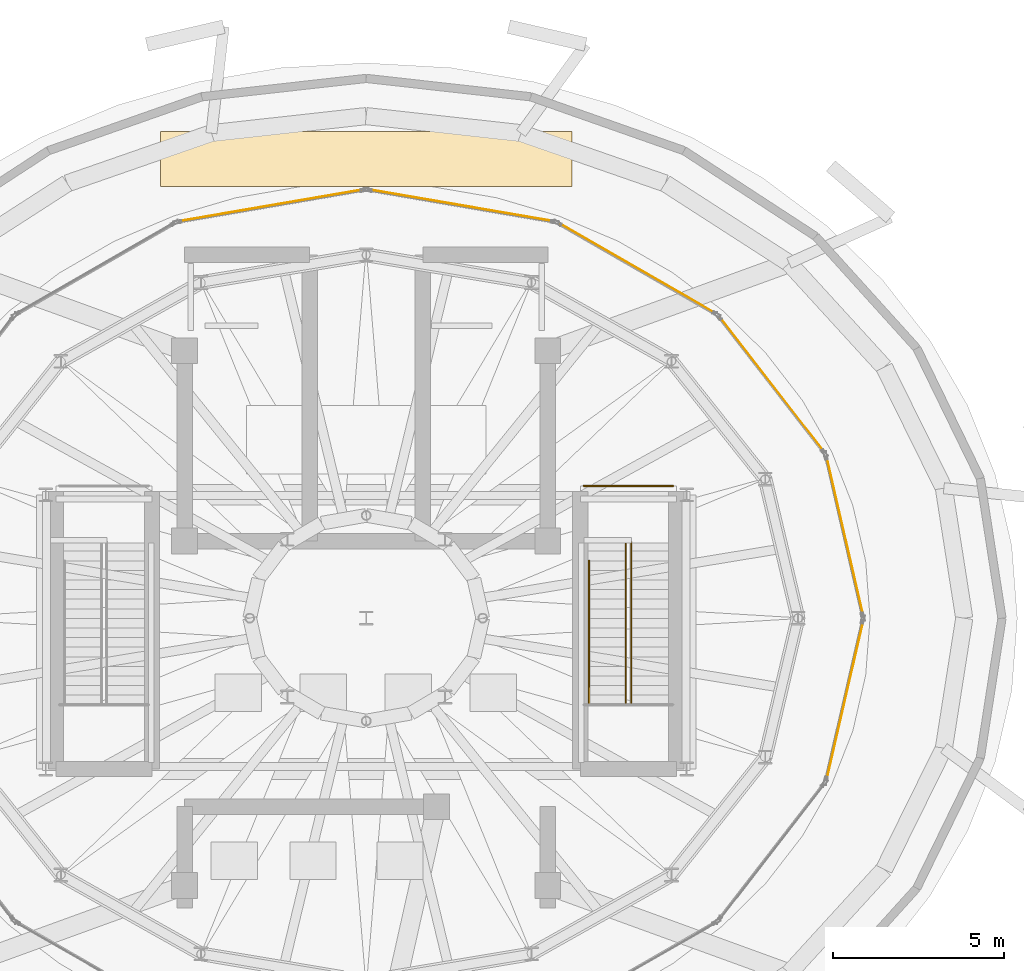
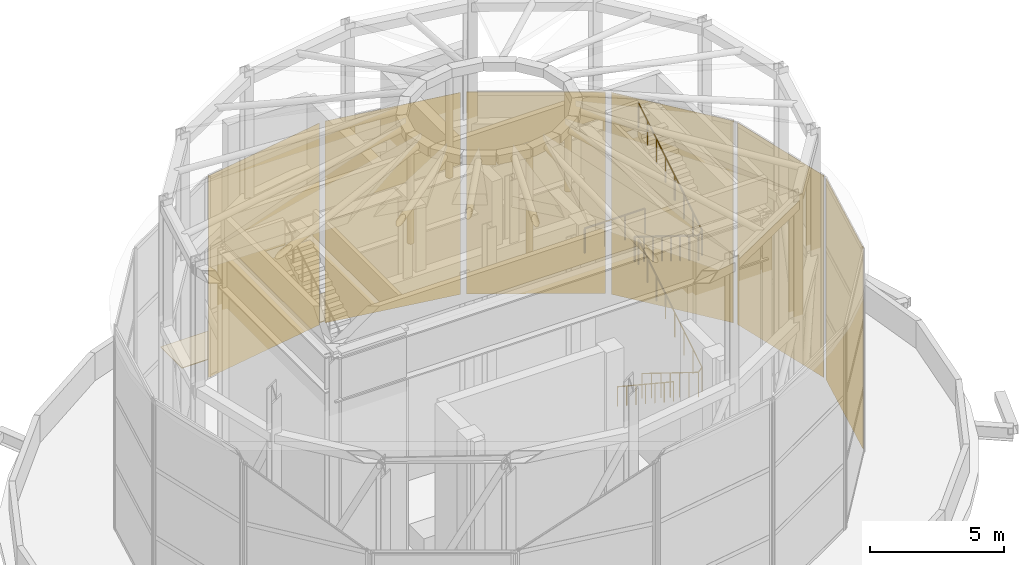
# One storey, part 22 of 22: 6 shading devices, 4 railings, 1 covering.
"""IFC4 building model written with IfcOpenShell, lengths in metres."""

from ifc_helpers import new_model, si_unit, direction, frame, origin, origin_2d, place, context, subcontext, project, spatial, polyline, rectangle, outline, extrude, material, layer, layer_set, type_object, element, save


model = new_model("IFC4")

# Units and contexts
model_context = context("Model", 3, precision=1e-05, world=origin(), true_north=direction((0.0, 1.0)))
body_context = subcontext(model_context, "Body", "Model", "MODEL_VIEW")
ifc_project = project(units=[si_unit("LENGTHUNIT", "METRE"), si_unit("AREAUNIT", "SQUARE_METRE"), si_unit("VOLUMEUNIT", "CUBIC_METRE"), si_unit("PLANEANGLEUNIT", "RADIAN"), si_unit("MASSUNIT", "GRAM", prefix="KILO")], contexts=[model_context])

# Site, building, storey
site_placement = place(None, origin())
site = spatial("IfcSite", under=ifc_project, at=site_placement, CompositionType="ELEMENT")
building_placement = place(site_placement, origin())
building = spatial("IfcBuilding", under=site, at=building_placement, Name="Nuhasar Tower", CompositionType="ELEMENT")
storey_placement = place(building_placement, frame((0.0, 0.0, 313.39990234375)))
storey = spatial("IfcBuildingStorey", under=building, at=storey_placement, Name="Roof Drum", CompositionType="ELEMENT", Elevation=313.39990234375)

# Covering
ifc_material_1 = material(Name="EPDM Membrane", Category="bitumen")
ifc_layer_1 = layer(ifc_material_1, 0.030029296875)
ifc_layer_set_1 = layer_set([ifc_layer_1], Name="EPDM Membrane")
covering_type = type_object("IfcCoveringType", Name="COV-ROOF-MEM30", PredefinedType="ROOFING", material=ifc_layer_set_1)
covering_placement = place(storey_placement, origin())
element("IfcCovering", 1, at=covering_placement, inside=storey, type_object=covering_type, Name="Roof Drum Waterproofing Roof Membrane Strip 04", PredefinedType="ROOFING", context=body_context, shape_type="SweptSolid", body=[
    extrude(outline(polyline([(33.0, 39.39990234375), (45.0, 39.39990234375), (45.0, 41.0), (33.0, 41.0), (33.0, 39.39990234375)])), origin(), (0.0, 0.0, 1.0), 0.030029296875),
])

# Railings
ifc_material_2 = material(Name="Steel S355", Category="steel")
railing_type_1 = type_object("IfcRailingType", Name="RLG-STAIR-GUARD-1150", PredefinedType="GUARDRAIL", material=ifc_material_2)
railing_1_placement = place(storey_placement, frame((46.570068359375, 28.47509765625, 0.52099609375)))
element("IfcRailing", 2, at=railing_1_placement, inside=storey, type_object=railing_type_1, Name="Roof Drum Stair ST-CRN-2 Guardrail SLT1", PredefinedType="GUARDRAIL", context=body_context, shape_type="SweptSolid", body=[
    extrude(outline(polyline([(0.024169921875, 0.0), (0.01708984375, 0.01708984375), (0.0, 0.024169921875), (-0.01708984375, 0.01708984375), (-0.024169921875, 0.0), (-0.01708984375, -0.01708984375), (0.0, -0.024169921875), (0.01708984375, -0.01708984375), (0.024169921875, 0.0)])), frame((0.0, 0.0, 1.1259765625), z_axis=(0.0, -0.849913311345, 0.526922540037), x_axis=(1.0, 0.0, 0.0)), (0.0, 0.0, 1.0), 4.94189453125),
    extrude(outline(polyline([(0.024169921875, 0.0), (0.01708984375, 0.01708984375), (0.0, 0.024169921875), (-0.01708984375, 0.01708984375), (-0.024169921875, 0.0), (-0.01708984375, -0.01708984375), (0.0, -0.024169921875), (0.01708984375, -0.01708984375), (0.024169921875, 0.0)])), frame((0.0, -4.2001953125, 3.72998046875), z_axis=(0.676519338112, 0.0, 0.736424867288), x_axis=(0.0, 1.0, 0.0)), (0.0, 0.0, 1.0), 0.236328125),
    extrude(outline(polyline([(0.024169921875, 0.0), (0.01708984375, 0.01708984375), (0.0, 0.024169921875), (-0.01708984375, 0.01708984375), (-0.024169921875, 0.0), (-0.01708984375, -0.01708984375), (0.0, -0.024169921875), (0.01708984375, -0.01708984375), (0.024169921875, 0.0)])), frame((0.159912109375, -4.2001953125, 3.90380859375), z_axis=(0.0, 0.849924946986, 0.526903771566), x_axis=(-1.0, 0.0, 0.0)), (0.0, 0.0, 1.0), 5.6005859375),
    extrude(outline(polyline([(0.02099609375, 0.0), (0.014892578125, 0.014892578125), (0.0, 0.02099609375), (-0.014892578125, 0.014892578125), (-0.02099609375, 0.0), (-0.014892578125, -0.014892578125), (0.0, -0.02099609375), (0.014892578125, -0.014892578125), (0.02099609375, 0.0)])), origin(), (0.0, 0.0, 1.0), 1.101806640625),
    extrude(outline(polyline([(0.02099609375, 0.0), (0.014892578125, 0.014892578125), (0.0, 0.02099609375), (-0.014892578125, 0.014892578125), (-0.02099609375, 0.0), (-0.014892578125, -0.014892578125), (0.0, -0.02099609375), (0.014892578125, -0.014892578125), (0.02099609375, 0.0)])), frame((0.0, -0.699951171875, 0.43408203125)), (0.0, 0.0, 1.0), 1.101806640625),
    extrude(outline(polyline([(0.02099609375, 0.0), (0.014892578125, 0.014892578125), (0.0, 0.02099609375), (-0.014892578125, 0.014892578125), (-0.02099609375, 0.0), (-0.014892578125, -0.014892578125), (0.0, -0.02099609375), (0.014892578125, -0.014892578125), (0.02099609375, 0.0)])), frame((0.0, -1.400146484375, 0.867919921875)), (0.0, 0.0, 1.0), 1.101806640625),
    extrude(outline(polyline([(0.02099609375, 0.0), (0.014892578125, 0.014892578125), (0.0, 0.02099609375), (-0.014892578125, 0.014892578125), (-0.02099609375, 0.0), (-0.014892578125, -0.014892578125), (0.0, -0.02099609375), (0.014892578125, -0.014892578125), (0.02099609375, 0.0)])), frame((0.0, -2.10009765625, 1.302001953125)), (0.0, 0.0, 1.0), 1.101806640625),
    extrude(outline(polyline([(0.02099609375, 0.0), (0.014892578125, 0.014892578125), (0.0, 0.02099609375), (-0.014892578125, 0.014892578125), (-0.02099609375, 0.0), (-0.014892578125, -0.014892578125), (0.0, -0.02099609375), (0.014892578125, -0.014892578125), (0.02099609375, 0.0)])), frame((0.0, -2.800048828125, 1.736083984375)), (0.0, 0.0, 1.0), 1.101806640625),
    extrude(outline(polyline([(0.02099609375, 0.0), (0.014892578125, 0.014892578125), (0.0, 0.02099609375), (-0.014892578125, 0.014892578125), (-0.02099609375, 0.0), (-0.014892578125, -0.014892578125), (0.0, -0.02099609375), (0.014892578125, -0.014892578125), (0.02099609375, 0.0)])), frame((0.0, -3.500244140625, 2.169921875)), (0.0, 0.0, 1.0), 1.101806640625),
    extrude(outline(polyline([(0.02099609375, 0.0), (0.014892578125, 0.014892578125), (0.0, 0.02099609375), (-0.014892578125, 0.014892578125), (-0.02099609375, 0.0), (-0.014892578125, -0.014892578125), (0.0, -0.02099609375), (0.014892578125, -0.014892578125), (0.02099609375, 0.0)])), frame((0.0, -4.2001953125, 2.60400390625)), (0.0, 0.0, 1.0), 1.101806640625),
    extrude(outline(polyline([(0.02099609375, 0.0), (0.014892578125, 0.014892578125), (0.0, 0.02099609375), (-0.014892578125, 0.014892578125), (-0.02099609375, 0.0), (-0.014892578125, -0.014892578125), (0.0, -0.02099609375), (0.014892578125, -0.014892578125), (0.02099609375, 0.0)])), frame((0.159912109375, -4.2001953125, 2.778076171875)), (0.0, 0.0, 1.0), 1.101806640625),
    extrude(outline(polyline([(0.02099609375, 0.0), (0.014892578125, 0.014892578125), (0.0, 0.02099609375), (-0.014892578125, 0.014892578125), (-0.02099609375, 0.0), (-0.014892578125, -0.014892578125), (0.0, -0.02099609375), (0.014892578125, -0.014892578125), (0.02099609375, 0.0)])), frame((0.159912109375, -3.520263671875, 3.19970703125)), (0.0, 0.0, 1.0), 1.101806640625),
    extrude(outline(polyline([(0.02099609375, 0.0), (0.014892578125, 0.014892578125), (0.0, 0.02099609375), (-0.014892578125, 0.014892578125), (-0.02099609375, 0.0), (-0.014892578125, -0.014892578125), (0.0, -0.02099609375), (0.014892578125, -0.014892578125), (0.02099609375, 0.0)])), frame((0.159912109375, -2.840087890625, 3.62109375)), (0.0, 0.0, 1.0), 1.101806640625),
    extrude(outline(polyline([(0.02099609375, 0.0), (0.014892578125, 0.014892578125), (0.0, 0.02099609375), (-0.014892578125, 0.014892578125), (-0.02099609375, 0.0), (-0.014892578125, -0.014892578125), (0.0, -0.02099609375), (0.014892578125, -0.014892578125), (0.02099609375, 0.0)])), frame((0.159912109375, -2.16015625, 4.042724609375)), (0.0, 0.0, 1.0), 1.101806640625),
    extrude(outline(polyline([(0.02099609375, 0.0), (0.014892578125, 0.014892578125), (0.0, 0.02099609375), (-0.014892578125, 0.014892578125), (-0.02099609375, 0.0), (-0.014892578125, -0.014892578125), (0.0, -0.02099609375), (0.014892578125, -0.014892578125), (0.02099609375, 0.0)])), frame((0.159912109375, -1.480224609375, 4.46435546875)), (0.0, 0.0, 1.0), 1.101806640625),
    extrude(outline(polyline([(0.02099609375, 0.0), (0.014892578125, 0.014892578125), (0.0, 0.02099609375), (-0.014892578125, 0.014892578125), (-0.02099609375, 0.0), (-0.014892578125, -0.014892578125), (0.0, -0.02099609375), (0.014892578125, -0.014892578125), (0.02099609375, 0.0)])), frame((0.159912109375, -0.80029296875, 4.885986328125)), (0.0, 0.0, 1.0), 1.101806640625),
    extrude(outline(polyline([(0.02099609375, 0.0), (0.014892578125, 0.014892578125), (0.0, 0.02099609375), (-0.014892578125, 0.014892578125), (-0.02099609375, 0.0), (-0.014892578125, -0.014892578125), (0.0, -0.02099609375), (0.014892578125, -0.014892578125), (0.02099609375, 0.0)])), frame((0.159912109375, -0.1201171875, 5.307373046875)), (0.0, 0.0, 1.0), 1.101806640625),
    extrude(outline(polyline([(0.02099609375, 0.0), (0.014892578125, 0.014892578125), (0.0, 0.02099609375), (-0.014892578125, 0.014892578125), (-0.02099609375, 0.0), (-0.014892578125, -0.014892578125), (0.0, -0.02099609375), (0.014892578125, -0.014892578125), (0.02099609375, 0.0)])), frame((0.159912109375, 0.559814453125, 5.72900390625)), (0.0, 0.0, 1.0), 1.101806640625),
])
railing_2_placement = place(storey_placement, frame((45.35009765625, 30.659912109375, 6.25)))
element("IfcRailing", 3, at=railing_2_placement, inside=storey, type_object=railing_type_1, Name="Roof Drum Stair ST-CRN-2 Guardrail LNDN1", PredefinedType="GUARDRAIL", context=body_context, shape_type="SweptSolid", body=[
    extrude(outline(polyline([(0.024169921875, 0.0), (0.01708984375, 0.01708984375), (0.0, 0.024169921875), (-0.01708984375, 0.01708984375), (-0.024169921875, 0.0), (-0.01708984375, -0.01708984375), (0.0, -0.024169921875), (0.01708984375, -0.01708984375), (0.024169921875, 0.0)])), frame((0.0, 0.0, 1.1259765625), z_axis=(1.0, 0.0, 0.0), x_axis=(0.0, 1.0, 0.0)), (0.0, 0.0, 1.0), 2.599853515625),
    extrude(outline(polyline([(0.02099609375, 0.0), (0.014892578125, 0.014892578125), (0.0, 0.02099609375), (-0.014892578125, 0.014892578125), (-0.02099609375, 0.0), (-0.014892578125, -0.014892578125), (0.0, -0.02099609375), (0.014892578125, -0.014892578125), (0.02099609375, 0.0)])), origin(), (0.0, 0.0, 1.0), 1.101806640625),
    extrude(outline(polyline([(0.02099609375, 0.0), (0.014892578125, 0.014892578125), (0.0, 0.02099609375), (-0.014892578125, 0.014892578125), (-0.02099609375, 0.0), (-0.014892578125, -0.014892578125), (0.0, -0.02099609375), (0.014892578125, -0.014892578125), (0.02099609375, 0.0)])), frame((0.86669921875, 0.0, 0.0)), (0.0, 0.0, 1.0), 1.101806640625),
    extrude(outline(polyline([(0.02099609375, 0.0), (0.014892578125, 0.014892578125), (0.0, 0.02099609375), (-0.014892578125, 0.014892578125), (-0.02099609375, 0.0), (-0.014892578125, -0.014892578125), (0.0, -0.02099609375), (0.014892578125, -0.014892578125), (0.02099609375, 0.0)])), frame((1.733154296875, 0.0, 0.0)), (0.0, 0.0, 1.0), 1.101806640625),
    extrude(outline(polyline([(0.02099609375, 0.0), (0.014892578125, 0.014892578125), (0.0, 0.02099609375), (-0.014892578125, 0.014892578125), (-0.02099609375, 0.0), (-0.014892578125, -0.014892578125), (0.0, -0.02099609375), (0.014892578125, -0.014892578125), (0.02099609375, 0.0)])), frame((2.599853515625, 0.0, 0.0)), (0.0, 0.0, 1.0), 1.101806640625),
])
railing_3_placement = place(storey_placement, frame((46.570068359375, 29.034912109375, 6.424072265625)))
element("IfcRailing", 4, at=railing_3_placement, inside=storey, type_object=railing_type_1, Name="Roof Drum Stair ST-CRN-2 Guardrail SLT2", PredefinedType="GUARDRAIL", context=body_context, shape_type="SweptSolid", body=[
    extrude(outline(polyline([(0.024169921875, 0.0), (0.01708984375, 0.01708984375), (0.0, 0.024169921875), (-0.01708984375, 0.01708984375), (-0.024169921875, 0.0), (-0.01708984375, -0.01708984375), (0.0, -0.024169921875), (0.01708984375, -0.01708984375), (0.024169921875, 0.0)])), frame((0.0, 0.0, 1.1259765625), z_axis=(0.0, -0.849924946986, 0.526903771566), x_axis=(1.0, 0.0, 0.0)), (0.0, 0.0, 1.0), 5.6005859375),
    extrude(outline(polyline([(0.024169921875, 0.0), (0.01708984375, 0.01708984375), (0.0, 0.024169921875), (-0.01708984375, 0.01708984375), (-0.024169921875, 0.0), (-0.01708984375, -0.01708984375), (0.0, -0.024169921875), (0.01708984375, -0.01708984375), (0.024169921875, 0.0)])), frame((0.0, -4.760009765625, 4.07666015625), z_axis=(0.676519338112, 0.0, 0.736424867288), x_axis=(0.0, 1.0, 0.0)), (0.0, 0.0, 1.0), 0.236328125),
    extrude(outline(polyline([(0.024169921875, 0.0), (0.01708984375, 0.01708984375), (0.0, 0.024169921875), (-0.01708984375, 0.01708984375), (-0.024169921875, 0.0), (-0.01708984375, -0.01708984375), (0.0, -0.024169921875), (0.01708984375, -0.01708984375), (0.024169921875, 0.0)])), frame((0.159912109375, -4.760009765625, 4.2509765625), z_axis=(0.0, 0.849924946986, 0.526903771566), x_axis=(-1.0, 0.0, 0.0)), (0.0, 0.0, 1.0), 5.6005859375),
    extrude(outline(polyline([(0.02099609375, 0.0), (0.014892578125, 0.014892578125), (0.0, 0.02099609375), (-0.014892578125, 0.014892578125), (-0.02099609375, 0.0), (-0.014892578125, -0.014892578125), (0.0, -0.02099609375), (0.014892578125, -0.014892578125), (0.02099609375, 0.0)])), origin(), (0.0, 0.0, 1.0), 1.101806640625),
    extrude(outline(polyline([(0.02099609375, 0.0), (0.014892578125, 0.014892578125), (0.0, 0.02099609375), (-0.014892578125, 0.014892578125), (-0.02099609375, 0.0), (-0.014892578125, -0.014892578125), (0.0, -0.02099609375), (0.014892578125, -0.014892578125), (0.02099609375, 0.0)])), frame((0.0, -0.679931640625, 0.421630859375)), (0.0, 0.0, 1.0), 1.101806640625),
    extrude(outline(polyline([(0.02099609375, 0.0), (0.014892578125, 0.014892578125), (0.0, 0.02099609375), (-0.014892578125, 0.014892578125), (-0.02099609375, 0.0), (-0.014892578125, -0.014892578125), (0.0, -0.02099609375), (0.014892578125, -0.014892578125), (0.02099609375, 0.0)])), frame((0.0, -1.360107421875, 0.843017578125)), (0.0, 0.0, 1.0), 1.101806640625),
    extrude(outline(polyline([(0.02099609375, 0.0), (0.014892578125, 0.014892578125), (0.0, 0.02099609375), (-0.014892578125, 0.014892578125), (-0.02099609375, 0.0), (-0.014892578125, -0.014892578125), (0.0, -0.02099609375), (0.014892578125, -0.014892578125), (0.02099609375, 0.0)])), frame((0.0, -2.0400390625, 1.2646484375)), (0.0, 0.0, 1.0), 1.101806640625),
    extrude(outline(polyline([(0.02099609375, 0.0), (0.014892578125, 0.014892578125), (0.0, 0.02099609375), (-0.014892578125, 0.014892578125), (-0.02099609375, 0.0), (-0.014892578125, -0.014892578125), (0.0, -0.02099609375), (0.014892578125, -0.014892578125), (0.02099609375, 0.0)])), frame((0.0, -2.719970703125, 1.686279296875)), (0.0, 0.0, 1.0), 1.101806640625),
    extrude(outline(polyline([(0.02099609375, 0.0), (0.014892578125, 0.014892578125), (0.0, 0.02099609375), (-0.014892578125, 0.014892578125), (-0.02099609375, 0.0), (-0.014892578125, -0.014892578125), (0.0, -0.02099609375), (0.014892578125, -0.014892578125), (0.02099609375, 0.0)])), frame((0.0, -3.39990234375, 2.10791015625)), (0.0, 0.0, 1.0), 1.101806640625),
    extrude(outline(polyline([(0.02099609375, 0.0), (0.014892578125, 0.014892578125), (0.0, 0.02099609375), (-0.014892578125, 0.014892578125), (-0.02099609375, 0.0), (-0.014892578125, -0.014892578125), (0.0, -0.02099609375), (0.014892578125, -0.014892578125), (0.02099609375, 0.0)])), frame((0.0, -4.080078125, 2.529296875)), (0.0, 0.0, 1.0), 1.101806640625),
    extrude(outline(polyline([(0.02099609375, 0.0), (0.014892578125, 0.014892578125), (0.0, 0.02099609375), (-0.014892578125, 0.014892578125), (-0.02099609375, 0.0), (-0.014892578125, -0.014892578125), (0.0, -0.02099609375), (0.014892578125, -0.014892578125), (0.02099609375, 0.0)])), frame((0.0, -4.760009765625, 2.950927734375)), (0.0, 0.0, 1.0), 1.101806640625),
    extrude(outline(polyline([(0.02099609375, 0.0), (0.014892578125, 0.014892578125), (0.0, 0.02099609375), (-0.014892578125, 0.014892578125), (-0.02099609375, 0.0), (-0.014892578125, -0.014892578125), (0.0, -0.02099609375), (0.014892578125, -0.014892578125), (0.02099609375, 0.0)])), frame((0.159912109375, -4.760009765625, 3.125)), (0.0, 0.0, 1.0), 1.101806640625),
    extrude(outline(polyline([(0.02099609375, 0.0), (0.014892578125, 0.014892578125), (0.0, 0.02099609375), (-0.014892578125, 0.014892578125), (-0.02099609375, 0.0), (-0.014892578125, -0.014892578125), (0.0, -0.02099609375), (0.014892578125, -0.014892578125), (0.02099609375, 0.0)])), frame((0.159912109375, -4.080078125, 3.546630859375)), (0.0, 0.0, 1.0), 1.101806640625),
    extrude(outline(polyline([(0.02099609375, 0.0), (0.014892578125, 0.014892578125), (0.0, 0.02099609375), (-0.014892578125, 0.014892578125), (-0.02099609375, 0.0), (-0.014892578125, -0.014892578125), (0.0, -0.02099609375), (0.014892578125, -0.014892578125), (0.02099609375, 0.0)])), frame((0.159912109375, -3.39990234375, 3.968017578125)), (0.0, 0.0, 1.0), 1.101806640625),
    extrude(outline(polyline([(0.02099609375, 0.0), (0.014892578125, 0.014892578125), (0.0, 0.02099609375), (-0.014892578125, 0.014892578125), (-0.02099609375, 0.0), (-0.014892578125, -0.014892578125), (0.0, -0.02099609375), (0.014892578125, -0.014892578125), (0.02099609375, 0.0)])), frame((0.159912109375, -2.719970703125, 4.3896484375)), (0.0, 0.0, 1.0), 1.101806640625),
    extrude(outline(polyline([(0.02099609375, 0.0), (0.014892578125, 0.014892578125), (0.0, 0.02099609375), (-0.014892578125, 0.014892578125), (-0.02099609375, 0.0), (-0.014892578125, -0.014892578125), (0.0, -0.02099609375), (0.014892578125, -0.014892578125), (0.02099609375, 0.0)])), frame((0.159912109375, -2.0400390625, 4.811279296875)), (0.0, 0.0, 1.0), 1.101806640625),
    extrude(outline(polyline([(0.02099609375, 0.0), (0.014892578125, 0.014892578125), (0.0, 0.02099609375), (-0.014892578125, 0.014892578125), (-0.02099609375, 0.0), (-0.014892578125, -0.014892578125), (0.0, -0.02099609375), (0.014892578125, -0.014892578125), (0.02099609375, 0.0)])), frame((0.159912109375, -1.360107421875, 5.23291015625)), (0.0, 0.0, 1.0), 1.101806640625),
    extrude(outline(polyline([(0.02099609375, 0.0), (0.014892578125, 0.014892578125), (0.0, 0.02099609375), (-0.014892578125, 0.014892578125), (-0.02099609375, 0.0), (-0.014892578125, -0.014892578125), (0.0, -0.02099609375), (0.014892578125, -0.014892578125), (0.02099609375, 0.0)])), frame((0.159912109375, -0.679931640625, 5.654296875)), (0.0, 0.0, 1.0), 1.101806640625),
    extrude(outline(polyline([(0.02099609375, 0.0), (0.014892578125, 0.014892578125), (0.0, 0.02099609375), (-0.014892578125, 0.014892578125), (-0.02099609375, 0.0), (-0.014892578125, -0.014892578125), (0.0, -0.02099609375), (0.014892578125, -0.014892578125), (0.02099609375, 0.0)])), frame((0.159912109375, 0.0, 6.075927734375)), (0.0, 0.0, 1.0), 1.101806640625),
])
ifc_material_3 = material(Name="Stainless Steel 316L", Category="steel")
railing_type_2 = type_object("IfcRailingType", Name="RLG-STAIR-HAND-920", PredefinedType="HANDRAIL", material=ifc_material_3)
railing_4_placement = place(storey_placement, frame((45.5, 28.47509765625, 0.52099609375)))
element("IfcRailing", 5, at=railing_4_placement, inside=storey, type_object=railing_type_2, Name="Roof Drum Stair ST-CRN-2 Handrail HNDA1", PredefinedType="HANDRAIL", context=body_context, shape_type="SweptSolid", body=[
    extrude(outline(polyline([(0.024169921875, 0.0), (0.01708984375, 0.01708984375), (0.0, 0.024169921875), (-0.01708984375, 0.01708984375), (-0.024169921875, 0.0), (-0.01708984375, -0.01708984375), (0.0, -0.024169921875), (0.01708984375, -0.01708984375), (0.024169921875, 0.0)])), frame((0.0, 0.0, 0.89599609375), z_axis=(0.0, -0.834066052452, 0.551664590261), x_axis=(1.0, 0.0, 0.0)), (0.0, 0.0, 1.0), 5.035888671875),
    extrude(outline(polyline([(0.02099609375, 0.0), (0.014892578125, 0.014892578125), (0.0, 0.02099609375), (-0.014892578125, 0.014892578125), (-0.02099609375, 0.0), (-0.014892578125, -0.014892578125), (0.0, -0.02099609375), (0.014892578125, -0.014892578125), (0.02099609375, 0.0)])), origin(), (0.0, 0.0, 1.0), 0.871826171875),
    extrude(outline(polyline([(0.02099609375, 0.0), (0.014892578125, 0.014892578125), (0.0, 0.02099609375), (-0.014892578125, 0.014892578125), (-0.02099609375, 0.0), (-0.014892578125, -0.014892578125), (0.0, -0.02099609375), (0.014892578125, -0.014892578125), (0.02099609375, 0.0)])), frame((0.0, -0.699951171875, 0.462890625)), (0.0, 0.0, 1.0), 0.871826171875),
    extrude(outline(polyline([(0.02099609375, 0.0), (0.014892578125, 0.014892578125), (0.0, 0.02099609375), (-0.014892578125, 0.014892578125), (-0.02099609375, 0.0), (-0.014892578125, -0.014892578125), (0.0, -0.02099609375), (0.014892578125, -0.014892578125), (0.02099609375, 0.0)])), frame((0.0, -1.400146484375, 0.926025390625)), (0.0, 0.0, 1.0), 0.871826171875),
    extrude(outline(polyline([(0.02099609375, 0.0), (0.014892578125, 0.014892578125), (0.0, 0.02099609375), (-0.014892578125, 0.014892578125), (-0.02099609375, 0.0), (-0.014892578125, -0.014892578125), (0.0, -0.02099609375), (0.014892578125, -0.014892578125), (0.02099609375, 0.0)])), frame((0.0, -2.10009765625, 1.38916015625)), (0.0, 0.0, 1.0), 0.871826171875),
    extrude(outline(polyline([(0.02099609375, 0.0), (0.014892578125, 0.014892578125), (0.0, 0.02099609375), (-0.014892578125, 0.014892578125), (-0.02099609375, 0.0), (-0.014892578125, -0.014892578125), (0.0, -0.02099609375), (0.014892578125, -0.014892578125), (0.02099609375, 0.0)])), frame((0.0, -2.800048828125, 1.85205078125)), (0.0, 0.0, 1.0), 0.871826171875),
    extrude(outline(polyline([(0.02099609375, 0.0), (0.014892578125, 0.014892578125), (0.0, 0.02099609375), (-0.014892578125, 0.014892578125), (-0.02099609375, 0.0), (-0.014892578125, -0.014892578125), (0.0, -0.02099609375), (0.014892578125, -0.014892578125), (0.02099609375, 0.0)])), frame((0.0, -3.500244140625, 2.31494140625)), (0.0, 0.0, 1.0), 0.871826171875),
    extrude(outline(polyline([(0.02099609375, 0.0), (0.014892578125, 0.014892578125), (0.0, 0.02099609375), (-0.014892578125, 0.014892578125), (-0.02099609375, 0.0), (-0.014892578125, -0.014892578125), (0.0, -0.02099609375), (0.014892578125, -0.014892578125), (0.02099609375, 0.0)])), frame((0.0, -4.2001953125, 2.778076171875)), (0.0, 0.0, 1.0), 0.871826171875),
])

# Shading devices
ifc_material_4 = material(Name="Aluminium 6063-T6", Category="aluminium")
ifc_layer_2 = layer(ifc_material_4, 0.01611328125)
ifc_layer_set_2 = layer_set([ifc_layer_2], Name="Aluminium 6063-T6")
shading_device_type = type_object("IfcShadingDeviceType", Name="SHD-MASH-16", PredefinedType="SHUTTER", material=ifc_layer_set_2)
shading_device_1_placement = place(storey_placement, frame((52.969970703125, 29.196044921875, 0.0), z_axis=(0.0, 0.0, 1.0), x_axis=(-0.224866023659, 0.974389691758, 0.0)))
element("IfcShadingDevice", 6, at=shading_device_1_placement, inside=storey, type_object=shading_device_type, Name="Crown Bronze Mashrabiya Sun-Screen 01", PredefinedType="SHUTTER", context=body_context, shape_type="SweptSolid", body=[
    extrude(rectangle(XDim=4.712890625, YDim=0.01611328125, at=origin_2d()), origin(), (0.0, 0.0, 1.0), 9.219970703125),
])
shading_device_2_placement = place(storey_placement, frame((50.843994140625, 33.6220703125, 0.0), z_axis=(0.0, 0.0, 1.0), x_axis=(-0.612617405554, 0.790379601465, 0.0)))
element("IfcShadingDevice", 7, at=shading_device_2_placement, inside=storey, type_object=shading_device_type, Name="Crown Bronze Mashrabiya Sun-Screen 02", PredefinedType="SHUTTER", context=body_context, shape_type="SweptSolid", body=[
    extrude(rectangle(XDim=4.925048828125, YDim=0.01611328125, at=origin_2d()), origin(), (0.0, 0.0, 1.0), 9.219970703125),
])
shading_device_3_placement = place(storey_placement, frame((46.9140625, 37.010009765625, 0.0), z_axis=(0.0, 0.0, 1.0), x_axis=(-0.866574658864, 0.499047453269, 0.0)))
element("IfcShadingDevice", 8, at=shading_device_3_placement, inside=storey, type_object=shading_device_type, Name="Crown Bronze Mashrabiya Sun-Screen 03", PredefinedType="SHUTTER", context=body_context, shape_type="SweptSolid", body=[
    extrude(rectangle(XDim=5.2109375, YDim=0.01611328125, at=origin_2d()), origin(), (0.0, 0.0, 1.0), 9.219970703125),
])
for number, where, z_axis, x_axis, name in (
    (9, (41.780029296875, 38.844970703125, 0.0), (0.0, 0.0, 1.0), (-0.98560036088, 0.169091480076, 0.0), "Crown Bronze Mashrabiya Sun-Screen 04"),
    (10, (36.219970703125, 38.844970703125, 0.0), (0.0, 0.0, 1.0), (-0.98560036088, -0.169091480076, 0.0), "Crown Bronze Mashrabiya Sun-Screen 05"),
):
    element("IfcShadingDevice", number, at=place(storey_placement, frame(where, z_axis=z_axis, x_axis=x_axis)), inside=storey, type_object=shading_device_type, Name=name, PredefinedType="SHUTTER", context=body_context, shape_type="SweptSolid", body=[
        extrude(rectangle(XDim=5.405029296875, YDim=0.01611328125, at=origin_2d()), origin(), (0.0, 0.0, 1.0), 9.219970703125),
    ])
shading_device_4_placement = place(storey_placement, frame((52.969970703125, 24.404052734375, 0.0), z_axis=(0.0, 0.0, 1.0), x_axis=(0.224866023659, 0.974389691758, 0.0)))
element("IfcShadingDevice", 11, at=shading_device_4_placement, inside=storey, type_object=shading_device_type, Name="Crown Bronze Mashrabiya Sun-Screen 16", PredefinedType="SHUTTER", context=body_context, shape_type="SweptSolid", body=[
    extrude(rectangle(XDim=4.712890625, YDim=0.01611328125, at=origin_2d()), origin(), (0.0, 0.0, 1.0), 9.219970703125),
])

save(model, "model.ifc")
